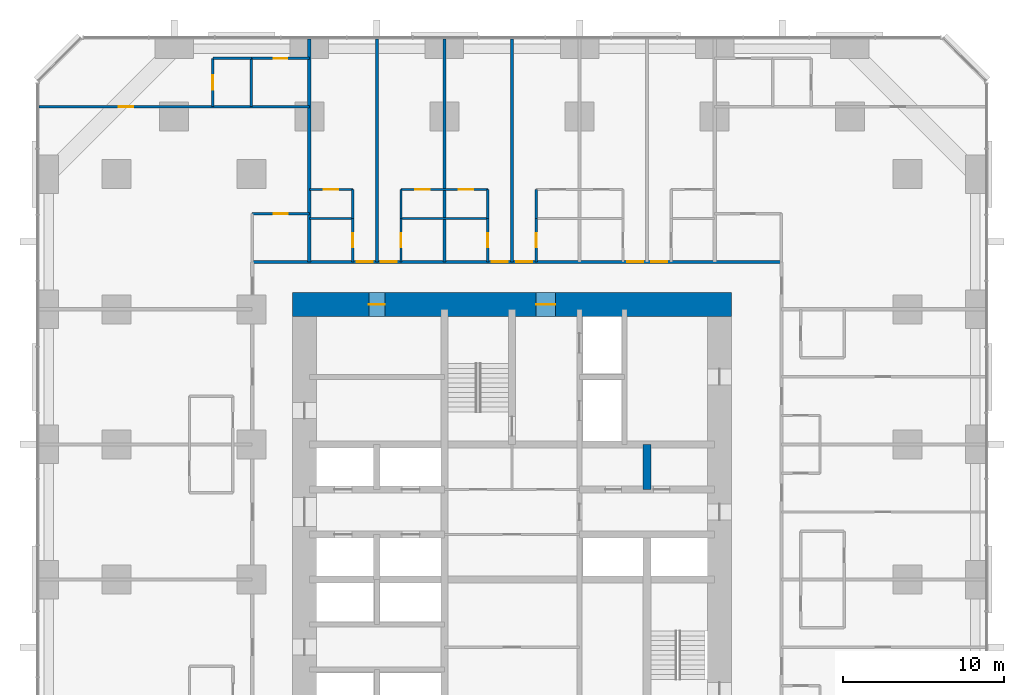
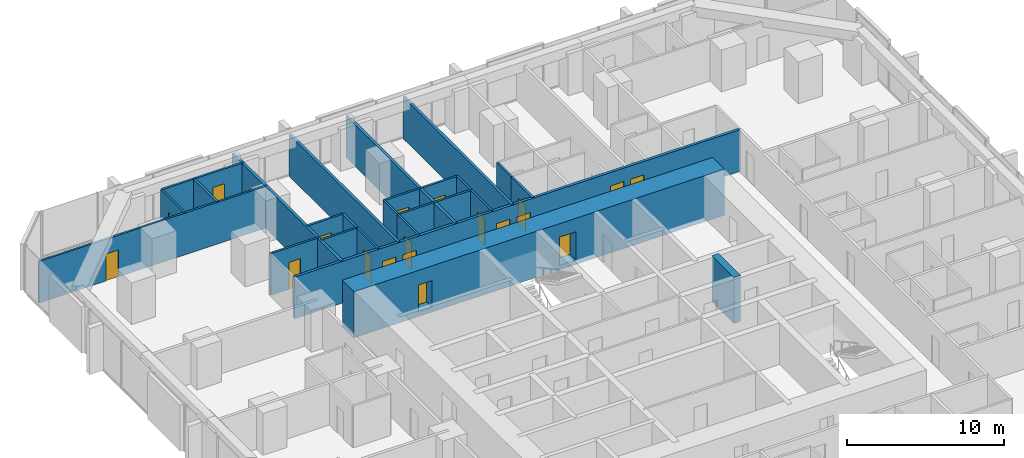
# One storey, part 14 of 17: 25 walls, 19 doors, 19 openings.
"""IFC4 building model written with IfcOpenShell, lengths in metres."""

from ifc_helpers import new_model, si_unit, direction, frame, frame_2d, origin, place, context, subcontext, project, spatial, rectangle, extrude, material, layer, layer_set, type_object, element, fill, save


model = new_model("IFC4")

# Units and contexts
model_context = context("Model", 3, precision=1e-05, world=origin(), true_north=direction((0.0, 1.0)))
body_context = subcontext(model_context, "Body", "Model", "MODEL_VIEW")
ifc_project = project(units=[si_unit("LENGTHUNIT", "METRE"), si_unit("AREAUNIT", "SQUARE_METRE"), si_unit("VOLUMEUNIT", "CUBIC_METRE"), si_unit("PLANEANGLEUNIT", "RADIAN"), si_unit("MASSUNIT", "GRAM", prefix="KILO")], contexts=[model_context])

# Site, building, storey
site_placement = place(None, origin())
site = spatial("IfcSite", under=ifc_project, at=site_placement, CompositionType="ELEMENT")
building_placement = place(site_placement, origin())
building = spatial("IfcBuilding", under=site, at=building_placement, Name="Dunama Terrace Hotel", CompositionType="ELEMENT")
storey_placement = place(building_placement, frame((0.0, 0.0, 66.60009765625)))
storey = spatial("IfcBuildingStorey", under=building, at=storey_placement, Name="L16", CompositionType="ELEMENT", Elevation=66.60009765625)

# Wall, opening, door
ifc_material_1 = material(Name="Gypsum board partition", Category="masonry")
ifc_layer_1 = layer(ifc_material_1, 0.14990234375)
ifc_layer_set_1 = layer_set([ifc_layer_1], Name="Bathroom partition 150")
wall_type_1 = type_object("IfcWallType", Name="Bathroom partition 150", PredefinedType="PARTITIONING", material=ifc_layer_set_1)
wall_1_placement = place(storey_placement, frame((19.5, 44.949951171875, 0.0), z_axis=(0.0, 0.0, 1.0), x_axis=(0.0, 1.0, 0.0)))
wall_1 = element("IfcWall", 1, at=wall_1_placement, inside=storey, type_object=wall_type_1, Name="Bathroom partition 150 L16", PredefinedType="PARTITIONING", context=body_context, shape_type="SweptSolid", body=[
    extrude(rectangle(XDim=2.699951171875, YDim=0.14990234375, at=frame_2d((1.35009765625, 0.0))), origin(), (0.0, 0.0, 1.0), 3.25),
])
opening_1_placement = place(wall_1_placement, frame((0.925048828125, 0.0, 0.0)))
opening_1 = element("IfcOpeningElement", 2, at=opening_1_placement, cuts=wall_1, Name="Opening L15-16-032", PredefinedType="OPENING", context=body_context, shape_type="SweptSolid", body=[
    extrude(rectangle(XDim=0.85009765625, YDim=2.10009765625, at=frame_2d((0.425048828125, 1.050048828125))), frame((0.0, 0.0849609375, 0.0), z_axis=(0.0, -1.0, 0.0), x_axis=(1.0, 0.0, 0.0)), (0.0, 0.0, 1.0), 0.169921875),
])
ifc_material_2 = material(Name="Timber door with steel frame", Category="steel")
door_type_1 = type_object("IfcDoorType", Name="Bathroom door 850", OperationType="SINGLE_SWING_LEFT", PredefinedType="DOOR", material=ifc_material_2)
door_1_placement = place(opening_1_placement, origin())
door_1 = element("IfcDoor", 3, at=door_1_placement, inside=storey, type_object=door_type_1, Name="Door to en-suite bathroom L15-16-032, type D2", OperationType="SINGLE_SWING_LEFT", OverallHeight=2.10009765625, OverallWidth=0.85009765625, PredefinedType="DOOR", context=body_context, shape_type="SweptSolid", body=[
    extrude(rectangle(XDim=0.85009765625, YDim=2.10009765625, at=frame_2d((0.425048828125, 1.050048828125))), frame((0.0, 0.02490234375, 0.0), z_axis=(0.0, -1.0, 0.0), x_axis=(1.0, 0.0, 0.0)), (0.0, 0.0, 1.0), 0.050048828125),
])
fill(opening_1, door_1)

wall_2_placement = place(storey_placement, frame((22.5, 44.949951171875, 0.0), z_axis=(0.0, 0.0, 1.0), x_axis=(0.0, 1.0, 0.0)))
wall_2 = element("IfcWall", 4, at=wall_2_placement, inside=storey, type_object=wall_type_1, Name="Bathroom partition 150 L16", PredefinedType="PARTITIONING", context=body_context, shape_type="SweptSolid", body=[
    extrude(rectangle(XDim=2.699951171875, YDim=0.14990234375, at=frame_2d((1.35009765625, 0.0))), origin(), (0.0, 0.0, 1.0), 3.25),
])
opening_2_placement = place(wall_2_placement, frame((0.925048828125, 0.0, 0.0)))
opening_2 = element("IfcOpeningElement", 5, at=opening_2_placement, cuts=wall_2, Name="Opening L15-16-035", PredefinedType="OPENING", context=body_context, shape_type="SweptSolid", body=[
    extrude(rectangle(XDim=0.85009765625, YDim=2.10009765625, at=frame_2d((0.425048828125, 1.050048828125))), frame((0.0, 0.0849609375, 0.0), z_axis=(0.0, -1.0, 0.0), x_axis=(1.0, 0.0, 0.0)), (0.0, 0.0, 1.0), 0.169921875),
])
door_2_placement = place(opening_2_placement, frame((0.85009765625, 0.0, 0.0), z_axis=(0.0, 0.0, 1.0), x_axis=(-1.0, 0.0, 0.0)))
door_2 = element("IfcDoor", 6, at=door_2_placement, inside=storey, type_object=door_type_1, Name="Door to en-suite bathroom L15-16-035, type D2", OperationType="SINGLE_SWING_RIGHT", OverallHeight=2.10009765625, OverallWidth=0.85009765625, PredefinedType="DOOR", context=body_context, shape_type="SweptSolid", body=[
    extrude(rectangle(XDim=0.85009765625, YDim=2.10009765625, at=frame_2d((0.425048828125, 1.050048828125))), frame((0.0, 0.025146484375, 0.0), z_axis=(0.0, -1.0, 0.0), x_axis=(1.0, 0.0, 0.0)), (0.0, 0.0, 1.0), 0.050048828125),
])
fill(opening_2, door_2)

wall_3_placement = place(storey_placement, frame((27.89990234375, 44.949951171875, 0.0), z_axis=(0.0, 0.0, 1.0), x_axis=(0.0, 1.0, 0.0)))
wall_3 = element("IfcWall", 7, at=wall_3_placement, inside=storey, type_object=wall_type_1, Name="Bathroom partition 150 L16", PredefinedType="PARTITIONING", context=body_context, shape_type="SweptSolid", body=[
    extrude(rectangle(XDim=2.699951171875, YDim=0.14990234375, at=frame_2d((1.35009765625, 0.0))), origin(), (0.0, 0.0, 1.0), 3.25),
])
opening_3_placement = place(wall_3_placement, frame((0.925048828125, 0.0, 0.0)))
opening_3 = element("IfcOpeningElement", 8, at=opening_3_placement, cuts=wall_3, Name="Opening L15-16-038", PredefinedType="OPENING", context=body_context, shape_type="SweptSolid", body=[
    extrude(rectangle(XDim=0.85009765625, YDim=2.10009765625, at=frame_2d((0.425048828125, 1.050048828125))), frame((0.0, 0.0849609375, 0.0), z_axis=(0.0, -1.0, 0.0), x_axis=(1.0, 0.0, 0.0)), (0.0, 0.0, 1.0), 0.169921875),
])
door_3_placement = place(opening_3_placement, origin())
door_3 = element("IfcDoor", 9, at=door_3_placement, inside=storey, type_object=door_type_1, Name="Door to en-suite bathroom L15-16-038, type D2", OperationType="SINGLE_SWING_LEFT", OverallHeight=2.10009765625, OverallWidth=0.85009765625, PredefinedType="DOOR", context=body_context, shape_type="SweptSolid", body=[
    extrude(rectangle(XDim=0.85009765625, YDim=2.10009765625, at=frame_2d((0.425048828125, 1.050048828125))), frame((0.0, 0.02490234375, 0.0), z_axis=(0.0, -1.0, 0.0), x_axis=(1.0, 0.0, 0.0)), (0.0, 0.0, 1.0), 0.050048828125),
])
fill(opening_3, door_3)

wall_4_placement = place(storey_placement, frame((30.89990234375, 44.949951171875, 0.0), z_axis=(0.0, 0.0, 1.0), x_axis=(0.0, 1.0, 0.0)))
wall_4 = element("IfcWall", 10, at=wall_4_placement, inside=storey, type_object=wall_type_1, Name="Bathroom partition 150 L16", PredefinedType="PARTITIONING", context=body_context, shape_type="SweptSolid", body=[
    extrude(rectangle(XDim=2.699951171875, YDim=0.14990234375, at=frame_2d((1.35009765625, 0.0))), origin(), (0.0, 0.0, 1.0), 3.25),
])
opening_4_placement = place(wall_4_placement, frame((0.925048828125, 0.0, 0.0)))
opening_4 = element("IfcOpeningElement", 11, at=opening_4_placement, cuts=wall_4, Name="Opening L15-16-041", PredefinedType="OPENING", context=body_context, shape_type="SweptSolid", body=[
    extrude(rectangle(XDim=0.85009765625, YDim=2.10009765625, at=frame_2d((0.425048828125, 1.050048828125))), frame((0.0, 0.0849609375, 0.0), z_axis=(0.0, -1.0, 0.0), x_axis=(1.0, 0.0, 0.0)), (0.0, 0.0, 1.0), 0.169921875),
])
door_4_placement = place(opening_4_placement, frame((0.85009765625, 0.0, 0.0), z_axis=(0.0, 0.0, 1.0), x_axis=(-1.0, 0.0, 0.0)))
door_4 = element("IfcDoor", 12, at=door_4_placement, inside=storey, type_object=door_type_1, Name="Door to en-suite bathroom L15-16-041, type D2", OperationType="SINGLE_SWING_RIGHT", OverallHeight=2.10009765625, OverallWidth=0.85009765625, PredefinedType="DOOR", context=body_context, shape_type="SweptSolid", body=[
    extrude(rectangle(XDim=0.85009765625, YDim=2.10009765625, at=frame_2d((0.425048828125, 1.050048828125))), frame((0.0, 0.025146484375, 0.0), z_axis=(0.0, -1.0, 0.0), x_axis=(1.0, 0.0, 0.0)), (0.0, 0.0, 1.0), 0.050048828125),
])
fill(opening_4, door_4)

wall_5_placement = place(storey_placement, frame((13.25, 47.949951171875, 0.0), z_axis=(0.0, 0.0, 1.0), x_axis=(1.0, 0.0, 0.0)))
wall_5 = element("IfcWall", 13, at=wall_5_placement, inside=storey, type_object=wall_type_1, Name="Bathroom partition 150 L16", PredefinedType="PARTITIONING", context=body_context, shape_type="SweptSolid", body=[
    extrude(rectangle(XDim=3.550048828125, YDim=0.14990234375, at=frame_2d((1.77490234375, 0.0))), origin(), (0.0, 0.0, 1.0), 3.25),
])
opening_5_placement = place(wall_5_placement, frame((1.35009765625, 0.0, 0.0)))
opening_5 = element("IfcOpeningElement", 14, at=opening_5_placement, cuts=wall_5, Name="Opening L15-16-071", PredefinedType="OPENING", context=body_context, shape_type="SweptSolid", body=[
    extrude(rectangle(XDim=0.85009765625, YDim=2.10009765625, at=frame_2d((0.425048828125, 1.050048828125))), frame((0.0, 0.0849609375, 0.0), z_axis=(0.0, -1.0, 0.0), x_axis=(1.0, 0.0, 0.0)), (0.0, 0.0, 1.0), 0.169921875),
])
door_5_placement = place(opening_5_placement, frame((0.85009765625, 0.0, 0.0), z_axis=(0.0, 0.0, 1.0), x_axis=(-1.0, 0.0, 0.0)))
door_5 = element("IfcDoor", 15, at=door_5_placement, inside=storey, type_object=door_type_1, Name="Door to powder room L15-16-071, type D2", OperationType="SINGLE_SWING_LEFT", OverallHeight=2.10009765625, OverallWidth=0.85009765625, PredefinedType="DOOR", context=body_context, shape_type="SweptSolid", body=[
    extrude(rectangle(XDim=0.85009765625, YDim=2.10009765625, at=frame_2d((0.425048828125, 1.050048828125))), frame((0.0, 0.025146484375, 0.0), z_axis=(0.0, -1.0, 0.0), x_axis=(1.0, 0.0, 0.0)), (0.0, 0.0, 1.0), 0.050048828125),
])
fill(opening_5, door_5)

wall_6_placement = place(storey_placement, frame((13.199951171875, 57.60009765625, 0.0), z_axis=(0.0, 0.0, 1.0), x_axis=(1.0, 0.0, 0.0)))
wall_6 = element("IfcWall", 16, at=wall_6_placement, inside=storey, type_object=wall_type_1, Name="Bathroom partition 150 L16", PredefinedType="PARTITIONING", context=body_context, shape_type="SweptSolid", body=[
    extrude(rectangle(XDim=3.60009765625, YDim=0.14990234375, at=frame_2d((1.800048828125, 0.0))), origin(), (0.0, 0.0, 1.0), 3.25),
])
opening_6_placement = place(wall_6_placement, frame((1.375, 0.0, 0.0)))
opening_6 = element("IfcOpeningElement", 17, at=opening_6_placement, cuts=wall_6, Name="Opening L15-16-073", PredefinedType="OPENING", context=body_context, shape_type="SweptSolid", body=[
    extrude(rectangle(XDim=0.85009765625, YDim=2.10009765625, at=frame_2d((0.425048828125, 1.050048828125))), frame((0.0, 0.0849609375, 0.0), z_axis=(0.0, -1.0, 0.0), x_axis=(1.0, 0.0, 0.0)), (0.0, 0.0, 1.0), 0.169921875),
])
door_6_placement = place(opening_6_placement, frame((0.85009765625, 0.0, 0.0), z_axis=(0.0, 0.0, 1.0), x_axis=(-1.0, 0.0, 0.0)))
door_6 = element("IfcDoor", 18, at=door_6_placement, inside=storey, type_object=door_type_1, Name="Door to en-suite bathroom L15-16-073, type D2", OperationType="SINGLE_SWING_LEFT", OverallHeight=2.10009765625, OverallWidth=0.85009765625, PredefinedType="DOOR", context=body_context, shape_type="SweptSolid", body=[
    extrude(rectangle(XDim=0.85009765625, YDim=2.10009765625, at=frame_2d((0.425048828125, 1.050048828125))), frame((0.0, 0.025146484375, 0.0), z_axis=(0.0, -1.0, 0.0), x_axis=(1.0, 0.0, 0.0)), (0.0, 0.0, 1.0), 0.050048828125),
])
fill(opening_6, door_6)

# Wall
ifc_material_3 = material(Name="Concrete C50/60", Category="concrete")
ifc_layer_2 = layer(ifc_material_3, 0.5)
ifc_layer_set_2 = layer_set([ifc_layer_2], Name="Core inner wall 500")
wall_type_2 = type_object("IfcWallType", Name="Core inner wall 500", PredefinedType="SHEAR", material=ifc_layer_set_2)
wall_7_placement = place(storey_placement, frame((37.800048828125, 30.800048828125, -0.35009765625), z_axis=(0.0, 0.0, 1.0), x_axis=(0.0, 1.0, 0.0)))
element("IfcWall", 19, at=wall_7_placement, inside=storey, type_object=wall_type_2, Name="Core inner wall 500 L16", PredefinedType="SHEAR", context=body_context, shape_type="SweptSolid", body=[
    extrude(rectangle(XDim=2.800048828125, YDim=0.5, at=frame_2d((1.39990234375, 0.0))), origin(), (0.0, 0.0, 1.0), 3.60009765625),
])

# Wall, openings, doors
ifc_material_4 = material(Name="Concrete C60/75", Category="concrete")
ifc_layer_3 = layer(ifc_material_4, 1.5)
ifc_layer_set_3 = layer_set([ifc_layer_3], Name="Core wall 1500")
wall_type_3 = type_object("IfcWallType", Name="Core wall 1500", PredefinedType="SHEAR", material=ifc_layer_set_3)
wall_8_placement = place(storey_placement, frame((43.050048828125, 42.300048828125, -0.35009765625), z_axis=(0.0, 0.0, 1.0), x_axis=(-1.0, 0.0, 0.0)))
wall_8 = element("IfcWall", 20, at=wall_8_placement, inside=storey, type_object=wall_type_3, Name="Core wall north L16", PredefinedType="SHEAR", context=body_context, shape_type="SweptSolid", body=[
    extrude(rectangle(XDim=27.300048828125, YDim=1.5, at=frame_2d((13.64990234375, 0.0))), origin(), (0.0, 0.0, 1.0), 3.60009765625),
])
opening_7_placement = place(wall_8_placement, frame((21.550048828125, 0.0, 0.35009765625)))
opening_7 = element("IfcOpeningElement", 21, at=opening_7_placement, cuts=wall_8, Name="Opening L15-16-078", PredefinedType="OPENING", context=body_context, shape_type="SweptSolid", body=[
    extrude(rectangle(XDim=1.0, YDim=2.10009765625, at=frame_2d((0.5, 1.050048828125))), frame((0.0, 0.760009765625, 0.0), z_axis=(0.0, -1.0, 0.0), x_axis=(1.0, 0.0, 0.0)), (0.0, 0.0, 1.0), 1.52001953125),
])
opening_8_placement = place(wall_8_placement, frame((10.949951171875, 0.0, 0.35009765625)))
opening_8 = element("IfcOpeningElement", 22, at=opening_8_placement, cuts=wall_8, Name="Opening L15-16-086", PredefinedType="OPENING", context=body_context, shape_type="SweptSolid", body=[
    extrude(rectangle(XDim=1.199951171875, YDim=2.199951171875, at=frame_2d((0.60009765625, 1.10009765625))), frame((0.0, 0.760009765625, 0.0), z_axis=(0.0, -1.0, 0.0), x_axis=(1.0, 0.0, 0.0)), (0.0, 0.0, 1.0), 1.52001953125),
])
ifc_material_5 = material(Name="Timber door with steel frame", Category="steel")
door_type_2 = type_object("IfcDoorType", Name="Firefighting lobby door 1200", OperationType="SINGLE_SWING_LEFT", PredefinedType="DOOR", material=ifc_material_5)
door_7_placement = place(opening_8_placement, origin())
door_7 = element("IfcDoor", 23, at=door_7_placement, inside=storey, type_object=door_type_2, Name="Door to firefighting lobby L15-16-086, type D4", OperationType="SINGLE_SWING_RIGHT", OverallHeight=2.199951171875, OverallWidth=1.199951171875, PredefinedType="DOOR", context=body_context, shape_type="SweptSolid", body=[
    extrude(rectangle(XDim=1.199951171875, YDim=2.199951171875, at=frame_2d((0.60009765625, 1.10009765625))), frame((0.0, 0.02490234375, 0.0), z_axis=(0.0, -1.0, 0.0), x_axis=(1.0, 0.0, 0.0)), (0.0, 0.0, 1.0), 0.050048828125),
])
fill(opening_8, door_7)
ifc_material_6 = material(Name="Timber door with steel frame", Category="steel")
door_type_3 = type_object("IfcDoorType", Name="Service door 1000", OperationType="SINGLE_SWING_LEFT", PredefinedType="DOOR", material=ifc_material_6)
door_8_placement = place(opening_7_placement, origin())
door_8 = element("IfcDoor", 24, at=door_8_placement, inside=storey, type_object=door_type_3, Name="Door to communications and riser room L15-16-078, type D7", OperationType="SINGLE_SWING_LEFT", OverallHeight=2.10009765625, OverallWidth=1.0, PredefinedType="DOOR", context=body_context, shape_type="SweptSolid", body=[
    extrude(rectangle(XDim=1.0, YDim=2.10009765625, at=frame_2d((0.5, 1.050048828125))), frame((0.0, 0.02490234375, 0.0), z_axis=(0.0, -1.0, 0.0), x_axis=(1.0, 0.0, 0.0)), (0.0, 0.0, 1.0), 0.050048828125),
])
fill(opening_7, door_8)

ifc_material_7 = material(Name="Concrete blockwork", Category="masonry")
ifc_layer_4 = layer(ifc_material_7, 0.199951171875)
ifc_layer_set_4 = layer_set([ifc_layer_4], Name="Corridor partition 200")
wall_type_4 = type_object("IfcWallType", Name="Corridor partition 200", PredefinedType="PARTITIONING", material=ifc_layer_set_4)
wall_9_placement = place(storey_placement, frame((13.25, 44.949951171875, 0.0), z_axis=(0.0, 0.0, 1.0), x_axis=(1.0, 0.0, 0.0)))
wall_9 = element("IfcWall", 25, at=wall_9_placement, inside=storey, type_object=wall_type_4, Name="Corridor partition 200 L16", PredefinedType="PARTITIONING", context=body_context, shape_type="SweptSolid", body=[
    extrude(rectangle(XDim=32.89990234375, YDim=0.199951171875, at=frame_2d((16.449951171875, 0.0))), origin(), (0.0, 0.0, 1.0), 3.25),
])
opening_9_placement = place(wall_9_placement, frame((6.5, 0.0, 0.0)))
opening_9 = element("IfcOpeningElement", 26, at=opening_9_placement, cuts=wall_9, Name="Opening L15-16-031", PredefinedType="OPENING", context=body_context, shape_type="SweptSolid", body=[
    extrude(rectangle(XDim=1.0, YDim=2.199951171875, at=frame_2d((0.5, 1.10009765625))), frame((0.0, 0.10986328125, 0.0), z_axis=(0.0, -1.0, 0.0), x_axis=(1.0, 0.0, 0.0)), (0.0, 0.0, 1.0), 0.219970703125),
])
opening_10_placement = place(wall_9_placement, frame((8.0, 0.0, 0.0)))
opening_10 = element("IfcOpeningElement", 27, at=opening_10_placement, cuts=wall_9, Name="Opening L15-16-034", PredefinedType="OPENING", context=body_context, shape_type="SweptSolid", body=[
    extrude(rectangle(XDim=1.0, YDim=2.199951171875, at=frame_2d((0.5, 1.10009765625))), frame((0.0, 0.10986328125, 0.0), z_axis=(0.0, -1.0, 0.0), x_axis=(1.0, 0.0, 0.0)), (0.0, 0.0, 1.0), 0.219970703125),
])
opening_11_placement = place(wall_9_placement, frame((14.89990234375, 0.0, 0.0)))
opening_11 = element("IfcOpeningElement", 28, at=opening_11_placement, cuts=wall_9, Name="Opening L15-16-037", PredefinedType="OPENING", context=body_context, shape_type="SweptSolid", body=[
    extrude(rectangle(XDim=1.0, YDim=2.199951171875, at=frame_2d((0.5, 1.10009765625))), frame((0.0, 0.10986328125, 0.0), z_axis=(0.0, -1.0, 0.0), x_axis=(1.0, 0.0, 0.0)), (0.0, 0.0, 1.0), 0.219970703125),
])
opening_12_placement = place(wall_9_placement, frame((16.39990234375, 0.0, 0.0)))
opening_12 = element("IfcOpeningElement", 29, at=opening_12_placement, cuts=wall_9, Name="Opening L15-16-040", PredefinedType="OPENING", context=body_context, shape_type="SweptSolid", body=[
    extrude(rectangle(XDim=1.0, YDim=2.199951171875, at=frame_2d((0.5, 1.10009765625))), frame((0.0, 0.10986328125, 0.0), z_axis=(0.0, -1.0, 0.0), x_axis=(1.0, 0.0, 0.0)), (0.0, 0.0, 1.0), 0.219970703125),
])
opening_13_placement = place(wall_9_placement, frame((23.300048828125, 0.0, 0.0)))
opening_13 = element("IfcOpeningElement", 30, at=opening_13_placement, cuts=wall_9, Name="Opening L15-16-043", PredefinedType="OPENING", context=body_context, shape_type="SweptSolid", body=[
    extrude(rectangle(XDim=1.0, YDim=2.199951171875, at=frame_2d((0.5, 1.10009765625))), frame((0.0, 0.10986328125, 0.0), z_axis=(0.0, -1.0, 0.0), x_axis=(1.0, 0.0, 0.0)), (0.0, 0.0, 1.0), 0.219970703125),
])
opening_14_placement = place(wall_9_placement, frame((24.800048828125, 0.0, 0.0)))
opening_14 = element("IfcOpeningElement", 31, at=opening_14_placement, cuts=wall_9, Name="Opening L15-16-046", PredefinedType="OPENING", context=body_context, shape_type="SweptSolid", body=[
    extrude(rectangle(XDim=1.0, YDim=2.199951171875, at=frame_2d((0.5, 1.10009765625))), frame((0.0, 0.10986328125, 0.0), z_axis=(0.0, -1.0, 0.0), x_axis=(1.0, 0.0, 0.0)), (0.0, 0.0, 1.0), 0.219970703125),
])
ifc_material_8 = material(Name="Timber door with steel frame", Category="steel")
door_type_4 = type_object("IfcDoorType", Name="Guest room door 1000", OperationType="SINGLE_SWING_LEFT", PredefinedType="DOOR", material=ifc_material_8)
door_9_placement = place(opening_9_placement, origin())
door_9 = element("IfcDoor", 32, at=door_9_placement, inside=storey, type_object=door_type_4, Name="Door to deluxe room L15-16-031, type D1", OperationType="SINGLE_SWING_RIGHT", OverallHeight=2.199951171875, OverallWidth=1.0, PredefinedType="DOOR", context=body_context, shape_type="SweptSolid", body=[
    extrude(rectangle(XDim=1.0, YDim=2.199951171875, at=frame_2d((0.5, 1.10009765625))), frame((0.0, 0.02490234375, 0.0), z_axis=(0.0, -1.0, 0.0), x_axis=(1.0, 0.0, 0.0)), (0.0, 0.0, 1.0), 0.050048828125),
])
fill(opening_9, door_9)
door_10_placement = place(opening_10_placement, origin())
door_10 = element("IfcDoor", 33, at=door_10_placement, inside=storey, type_object=door_type_4, Name="Door to deluxe room L15-16-034, type D1", OperationType="SINGLE_SWING_LEFT", OverallHeight=2.199951171875, OverallWidth=1.0, PredefinedType="DOOR", context=body_context, shape_type="SweptSolid", body=[
    extrude(rectangle(XDim=1.0, YDim=2.199951171875, at=frame_2d((0.5, 1.10009765625))), frame((0.0, 0.02490234375, 0.0), z_axis=(0.0, -1.0, 0.0), x_axis=(1.0, 0.0, 0.0)), (0.0, 0.0, 1.0), 0.050048828125),
])
fill(opening_10, door_10)
door_11_placement = place(opening_11_placement, origin())
door_11 = element("IfcDoor", 34, at=door_11_placement, inside=storey, type_object=door_type_4, Name="Door to deluxe room L15-16-037, type D1", OperationType="SINGLE_SWING_RIGHT", OverallHeight=2.199951171875, OverallWidth=1.0, PredefinedType="DOOR", context=body_context, shape_type="SweptSolid", body=[
    extrude(rectangle(XDim=1.0, YDim=2.199951171875, at=frame_2d((0.5, 1.10009765625))), frame((0.0, 0.02490234375, 0.0), z_axis=(0.0, -1.0, 0.0), x_axis=(1.0, 0.0, 0.0)), (0.0, 0.0, 1.0), 0.050048828125),
])
fill(opening_11, door_11)
door_12_placement = place(opening_12_placement, origin())
door_12 = element("IfcDoor", 35, at=door_12_placement, inside=storey, type_object=door_type_4, Name="Door to deluxe room L15-16-040, type D1", OperationType="SINGLE_SWING_LEFT", OverallHeight=2.199951171875, OverallWidth=1.0, PredefinedType="DOOR", context=body_context, shape_type="SweptSolid", body=[
    extrude(rectangle(XDim=1.0, YDim=2.199951171875, at=frame_2d((0.5, 1.10009765625))), frame((0.0, 0.02490234375, 0.0), z_axis=(0.0, -1.0, 0.0), x_axis=(1.0, 0.0, 0.0)), (0.0, 0.0, 1.0), 0.050048828125),
])
fill(opening_12, door_12)
door_13_placement = place(opening_13_placement, origin())
door_13 = element("IfcDoor", 36, at=door_13_placement, inside=storey, type_object=door_type_4, Name="Door to deluxe room L15-16-043, type D1", OperationType="SINGLE_SWING_RIGHT", OverallHeight=2.199951171875, OverallWidth=1.0, PredefinedType="DOOR", context=body_context, shape_type="SweptSolid", body=[
    extrude(rectangle(XDim=1.0, YDim=2.199951171875, at=frame_2d((0.5, 1.10009765625))), frame((0.0, 0.02490234375, 0.0), z_axis=(0.0, -1.0, 0.0), x_axis=(1.0, 0.0, 0.0)), (0.0, 0.0, 1.0), 0.050048828125),
])
fill(opening_13, door_13)
door_14_placement = place(opening_14_placement, origin())
door_14 = element("IfcDoor", 37, at=door_14_placement, inside=storey, type_object=door_type_4, Name="Door to deluxe room L15-16-046, type D1", OperationType="SINGLE_SWING_LEFT", OverallHeight=2.199951171875, OverallWidth=1.0, PredefinedType="DOOR", context=body_context, shape_type="SweptSolid", body=[
    extrude(rectangle(XDim=1.0, YDim=2.199951171875, at=frame_2d((0.5, 1.10009765625))), frame((0.0, 0.02490234375, 0.0), z_axis=(0.0, -1.0, 0.0), x_axis=(1.0, 0.0, 0.0)), (0.0, 0.0, 1.0), 0.050048828125),
])
fill(opening_14, door_14)

# Walls
ifc_material_9 = material(Name="Concrete blockwork", Category="masonry")
ifc_layer_5 = layer(ifc_material_9, 0.199951171875)
ifc_layer_set_5 = layer_set([ifc_layer_5], Name="Party wall 200")
wall_type_5 = type_object("IfcWallType", Name="Party wall 200", PredefinedType="PARTITIONING", material=ifc_layer_set_5)
for number, where, z_axis, x_axis, name in (
    (38, (16.800048828125, 44.949951171875, 0.0), (0.0, 0.0, 1.0), (0.0, 1.0, 0.0), "Party wall 200 L16"),
    (39, (21.0, 44.949951171875, 0.0), (0.0, 0.0, 1.0), (0.0, 1.0, 0.0), "Party wall 200 L16"),
    (40, (25.199951171875, 44.949951171875, 0.0), (0.0, 0.0, 1.0), (0.0, 1.0, 0.0), "Party wall 200 L16"),
    (41, (29.39990234375, 44.949951171875, 0.0), (0.0, 0.0, 1.0), (0.0, 1.0, 0.0), "Party wall 200 L16"),
):
    element("IfcWall", number, at=place(storey_placement, frame(where, z_axis=z_axis, x_axis=x_axis)), inside=storey, type_object=wall_type_5, Name=name, PredefinedType="PARTITIONING", context=body_context, shape_type="SweptSolid", body=[
        extrude(rectangle(XDim=13.858154296875, YDim=0.199951171875, at=frame_2d((6.92919921875, 0.0))), origin(), (0.0, 0.0, 1.0), 3.25),
    ])

# Wall, opening, door
ifc_material_10 = material(Name="Gypsum board partition", Category="masonry")
ifc_layer_6 = layer(ifc_material_10, 0.14990234375)
ifc_layer_set_6 = layer_set([ifc_layer_6], Name="Room partition 150")
wall_type_6 = type_object("IfcWallType", Name="Room partition 150", PredefinedType="PARTITIONING", material=ifc_layer_set_6)
wall_10_placement = place(storey_placement, frame((10.800048828125, 54.60009765625, 0.0), z_axis=(0.0, 0.0, 1.0), x_axis=(0.0, 1.0, 0.0)))
wall_10 = element("IfcWall", 42, at=wall_10_placement, inside=storey, type_object=wall_type_6, Name="Room partition 150 L16", PredefinedType="PARTITIONING", context=body_context, shape_type="SweptSolid", body=[
    extrude(rectangle(XDim=3.0, YDim=0.14990234375, at=frame_2d((1.5, 0.0))), origin(), (0.0, 0.0, 1.0), 3.25),
])
opening_15_placement = place(wall_10_placement, frame((1.050048828125, 0.0, 0.0)))
opening_15 = element("IfcOpeningElement", 43, at=opening_15_placement, cuts=wall_10, Name="Opening L15-16-074", PredefinedType="OPENING", context=body_context, shape_type="SweptSolid", body=[
    extrude(rectangle(XDim=0.89990234375, YDim=2.10009765625, at=frame_2d((0.449951171875, 1.050048828125))), frame((0.0, 0.0849609375, 0.0), z_axis=(0.0, -1.0, 0.0), x_axis=(1.0, 0.0, 0.0)), (0.0, 0.0, 1.0), 0.169921875),
])
ifc_material_11 = material(Name="Timber door with steel frame", Category="steel")
door_type_5 = type_object("IfcDoorType", Name="Suite internal door 900", OperationType="SINGLE_SWING_LEFT", PredefinedType="DOOR", material=ifc_material_11)
door_15_placement = place(opening_15_placement, frame((0.89990234375, 0.0, 0.0), z_axis=(0.0, 0.0, 1.0), x_axis=(-1.0, 0.0, 0.0)))
door_15 = element("IfcDoor", 44, at=door_15_placement, inside=storey, type_object=door_type_5, Name="Door to dressing room L15-16-074, type D16", OperationType="SINGLE_SWING_RIGHT", OverallHeight=2.10009765625, OverallWidth=0.89990234375, PredefinedType="DOOR", context=body_context, shape_type="SweptSolid", body=[
    extrude(rectangle(XDim=0.89990234375, YDim=2.10009765625, at=frame_2d((0.449951171875, 1.050048828125))), frame((0.0, 0.025146484375, 0.0), z_axis=(0.0, -1.0, 0.0), x_axis=(1.0, 0.0, 0.0)), (0.0, 0.0, 1.0), 0.050048828125),
])
fill(opening_15, door_15)

# Walls
wall_11_placement = place(storey_placement, frame((13.199951171875, 54.60009765625, 0.0), z_axis=(0.0, 0.0, 1.0), x_axis=(0.0, 1.0, 0.0)))
element("IfcWall", 45, at=wall_11_placement, inside=storey, type_object=wall_type_6, Name="Room partition 150 L16", PredefinedType="PARTITIONING", context=body_context, shape_type="SweptSolid", body=[
    extrude(rectangle(XDim=3.0, YDim=0.14990234375, at=frame_2d((1.5, 0.0))), origin(), (0.0, 0.0, 1.0), 3.25),
])
for number, where, z_axis, x_axis, name in (
    (46, (19.5, 47.64990234375, 0.0), (0.0, 0.0, 1.0), (0.0, 1.0, 0.0), "Room partition 150 L16"),
    (47, (22.5, 47.64990234375, 0.0), (0.0, 0.0, 1.0), (0.0, 1.0, 0.0), "Room partition 150 L16"),
    (48, (27.89990234375, 47.64990234375, 0.0), (0.0, 0.0, 1.0), (0.0, 1.0, 0.0), "Room partition 150 L16"),
    (49, (30.89990234375, 47.64990234375, 0.0), (0.0, 0.0, 1.0), (0.0, 1.0, 0.0), "Room partition 150 L16"),
):
    element("IfcWall", number, at=place(storey_placement, frame(where, z_axis=z_axis, x_axis=x_axis)), inside=storey, type_object=wall_type_6, Name=name, PredefinedType="PARTITIONING", context=body_context, shape_type="SweptSolid", body=[
        extrude(rectangle(XDim=1.800048828125, YDim=0.14990234375, at=frame_2d((0.89990234375, 0.0))), origin(), (0.0, 0.0, 1.0), 3.25),
    ])
wall_12_placement = place(storey_placement, frame((16.800048828125, 47.64990234375, 0.0), z_axis=(0.0, 0.0, 1.0), x_axis=(1.0, 0.0, 0.0)))
element("IfcWall", 50, at=wall_12_placement, inside=storey, type_object=wall_type_6, Name="Room partition 150 L16", PredefinedType="PARTITIONING", context=body_context, shape_type="SweptSolid", body=[
    extrude(rectangle(XDim=2.699951171875, YDim=0.14990234375, at=frame_2d((1.35009765625, 0.0))), origin(), (0.0, 0.0, 1.0), 3.25),
])
wall_13_placement = place(storey_placement, frame((22.5, 47.64990234375, 0.0), z_axis=(0.0, 0.0, 1.0), x_axis=(1.0, 0.0, 0.0)))
element("IfcWall", 51, at=wall_13_placement, inside=storey, type_object=wall_type_6, Name="Room partition 150 L16", PredefinedType="PARTITIONING", context=body_context, shape_type="SweptSolid", body=[
    extrude(rectangle(XDim=5.39990234375, YDim=0.14990234375, at=frame_2d((2.699951171875, 0.0))), origin(), (0.0, 0.0, 1.0), 3.25),
])

# Wall, opening, door
wall_14_placement = place(storey_placement, frame((16.800048828125, 49.449951171875, 0.0), z_axis=(0.0, 0.0, 1.0), x_axis=(1.0, 0.0, 0.0)))
wall_14 = element("IfcWall", 52, at=wall_14_placement, inside=storey, type_object=wall_type_6, Name="Room partition 150 L16", PredefinedType="PARTITIONING", context=body_context, shape_type="SweptSolid", body=[
    extrude(rectangle(XDim=2.699951171875, YDim=0.14990234375, at=frame_2d((1.35009765625, 0.0))), origin(), (0.0, 0.0, 1.0), 3.25),
])
opening_16_placement = place(wall_14_placement, frame((0.89990234375, 0.0, 0.0)))
opening_16 = element("IfcOpeningElement", 53, at=opening_16_placement, cuts=wall_14, Name="Opening L15-16-033", PredefinedType="OPENING", context=body_context, shape_type="SweptSolid", body=[
    extrude(rectangle(XDim=0.89990234375, YDim=2.10009765625, at=frame_2d((0.449951171875, 1.050048828125))), frame((0.0, 0.0849609375, 0.0), z_axis=(0.0, -1.0, 0.0), x_axis=(1.0, 0.0, 0.0)), (0.0, 0.0, 1.0), 0.169921875),
])
door_16_placement = place(opening_16_placement, frame((0.89990234375, 0.0, 0.0), z_axis=(0.0, 0.0, 1.0), x_axis=(-1.0, 0.0, 0.0)))
door_16 = element("IfcDoor", 54, at=door_16_placement, inside=storey, type_object=door_type_5, Name="Door to walk-in wardrobe L15-16-033, type D16", OperationType="SINGLE_SWING_RIGHT", OverallHeight=2.10009765625, OverallWidth=0.89990234375, PredefinedType="DOOR", context=body_context, shape_type="SweptSolid", body=[
    extrude(rectangle(XDim=0.89990234375, YDim=2.10009765625, at=frame_2d((0.449951171875, 1.050048828125))), frame((0.0, 0.025146484375, 0.0), z_axis=(0.0, -1.0, 0.0), x_axis=(1.0, 0.0, 0.0)), (0.0, 0.0, 1.0), 0.050048828125),
])
fill(opening_16, door_16)

# Wall, openings, doors
wall_15_placement = place(storey_placement, frame((22.5, 49.449951171875, 0.0), z_axis=(0.0, 0.0, 1.0), x_axis=(1.0, 0.0, 0.0)))
wall_15 = element("IfcWall", 55, at=wall_15_placement, inside=storey, type_object=wall_type_6, Name="Room partition 150 L16", PredefinedType="PARTITIONING", context=body_context, shape_type="SweptSolid", body=[
    extrude(rectangle(XDim=5.39990234375, YDim=0.14990234375, at=frame_2d((2.699951171875, 0.0))), origin(), (0.0, 0.0, 1.0), 3.25),
])
opening_17_placement = place(wall_15_placement, frame((0.89990234375, 0.0, 0.0)))
opening_17 = element("IfcOpeningElement", 56, at=opening_17_placement, cuts=wall_15, Name="Opening L15-16-036", PredefinedType="OPENING", context=body_context, shape_type="SweptSolid", body=[
    extrude(rectangle(XDim=0.89990234375, YDim=2.10009765625, at=frame_2d((0.449951171875, 1.050048828125))), frame((0.0, 0.0849609375, 0.0), z_axis=(0.0, -1.0, 0.0), x_axis=(1.0, 0.0, 0.0)), (0.0, 0.0, 1.0), 0.169921875),
])
opening_18_placement = place(wall_15_placement, frame((3.60009765625, 0.0, 0.0)))
opening_18 = element("IfcOpeningElement", 57, at=opening_18_placement, cuts=wall_15, Name="Opening L15-16-039", PredefinedType="OPENING", context=body_context, shape_type="SweptSolid", body=[
    extrude(rectangle(XDim=0.89990234375, YDim=2.10009765625, at=frame_2d((0.449951171875, 1.050048828125))), frame((0.0, 0.0849609375, 0.0), z_axis=(0.0, -1.0, 0.0), x_axis=(1.0, 0.0, 0.0)), (0.0, 0.0, 1.0), 0.169921875),
])
door_17_placement = place(opening_17_placement, frame((0.89990234375, 0.0, 0.0), z_axis=(0.0, 0.0, 1.0), x_axis=(-1.0, 0.0, 0.0)))
door_17 = element("IfcDoor", 58, at=door_17_placement, inside=storey, type_object=door_type_5, Name="Door to walk-in wardrobe L15-16-036, type D16", OperationType="SINGLE_SWING_LEFT", OverallHeight=2.10009765625, OverallWidth=0.89990234375, PredefinedType="DOOR", context=body_context, shape_type="SweptSolid", body=[
    extrude(rectangle(XDim=0.89990234375, YDim=2.10009765625, at=frame_2d((0.449951171875, 1.050048828125))), frame((0.0, 0.025146484375, 0.0), z_axis=(0.0, -1.0, 0.0), x_axis=(1.0, 0.0, 0.0)), (0.0, 0.0, 1.0), 0.050048828125),
])
fill(opening_17, door_17)
door_18_placement = place(opening_18_placement, frame((0.89990234375, 0.0, 0.0), z_axis=(0.0, 0.0, 1.0), x_axis=(-1.0, 0.0, 0.0)))
door_18 = element("IfcDoor", 59, at=door_18_placement, inside=storey, type_object=door_type_5, Name="Door to walk-in wardrobe L15-16-039, type D16", OperationType="SINGLE_SWING_RIGHT", OverallHeight=2.10009765625, OverallWidth=0.89990234375, PredefinedType="DOOR", context=body_context, shape_type="SweptSolid", body=[
    extrude(rectangle(XDim=0.89990234375, YDim=2.10009765625, at=frame_2d((0.449951171875, 1.050048828125))), frame((0.0, 0.025146484375, 0.0), z_axis=(0.0, -1.0, 0.0), x_axis=(1.0, 0.0, 0.0)), (0.0, 0.0, 1.0), 0.050048828125),
])
fill(opening_18, door_18)

# Wall, opening, door
wall_16_placement = place(storey_placement, frame((-0.008056640625, 54.60009765625, 0.0), z_axis=(0.0, 0.0, 1.0), x_axis=(1.0, 0.0, 0.0)))
wall_16 = element("IfcWall", 60, at=wall_16_placement, inside=storey, type_object=wall_type_6, Name="Room partition 150 L16", PredefinedType="PARTITIONING", context=body_context, shape_type="SweptSolid", body=[
    extrude(rectangle(XDim=16.80810546875, YDim=0.14990234375, at=frame_2d((8.404052734375, 0.0))), origin(), (0.0, 0.0, 1.0), 3.25),
])
opening_19_placement = place(wall_16_placement, frame((4.9580078125, 0.0, 0.0)))
opening_19 = element("IfcOpeningElement", 61, at=opening_19_placement, cuts=wall_16, Name="Opening L15-16-072", PredefinedType="OPENING", context=body_context, shape_type="SweptSolid", body=[
    extrude(rectangle(XDim=0.89990234375, YDim=2.10009765625, at=frame_2d((0.449951171875, 1.050048828125))), frame((0.0, 0.0849609375, 0.0), z_axis=(0.0, -1.0, 0.0), x_axis=(1.0, 0.0, 0.0)), (0.0, 0.0, 1.0), 0.169921875),
])
door_19_placement = place(opening_19_placement, origin())
door_19 = element("IfcDoor", 62, at=door_19_placement, inside=storey, type_object=door_type_5, Name="Door to corner suite bedroom L15-16-072, type D16", OperationType="SINGLE_SWING_RIGHT", OverallHeight=2.10009765625, OverallWidth=0.89990234375, PredefinedType="DOOR", context=body_context, shape_type="SweptSolid", body=[
    extrude(rectangle(XDim=0.89990234375, YDim=2.10009765625, at=frame_2d((0.449951171875, 1.050048828125))), frame((0.0, 0.02490234375, 0.0), z_axis=(0.0, -1.0, 0.0), x_axis=(1.0, 0.0, 0.0)), (0.0, 0.0, 1.0), 0.050048828125),
])
fill(opening_19, door_19)

# Wall
wall_17_placement = place(storey_placement, frame((10.800048828125, 57.60009765625, 0.0), z_axis=(0.0, 0.0, 1.0), x_axis=(1.0, 0.0, 0.0)))
element("IfcWall", 63, at=wall_17_placement, inside=storey, type_object=wall_type_6, Name="Room partition 150 L16", PredefinedType="PARTITIONING", context=body_context, shape_type="SweptSolid", body=[
    extrude(rectangle(XDim=2.39990234375, YDim=0.14990234375, at=frame_2d((1.199951171875, 0.0))), origin(), (0.0, 0.0, 1.0), 3.25),
])

save(model, "model.ifc")
